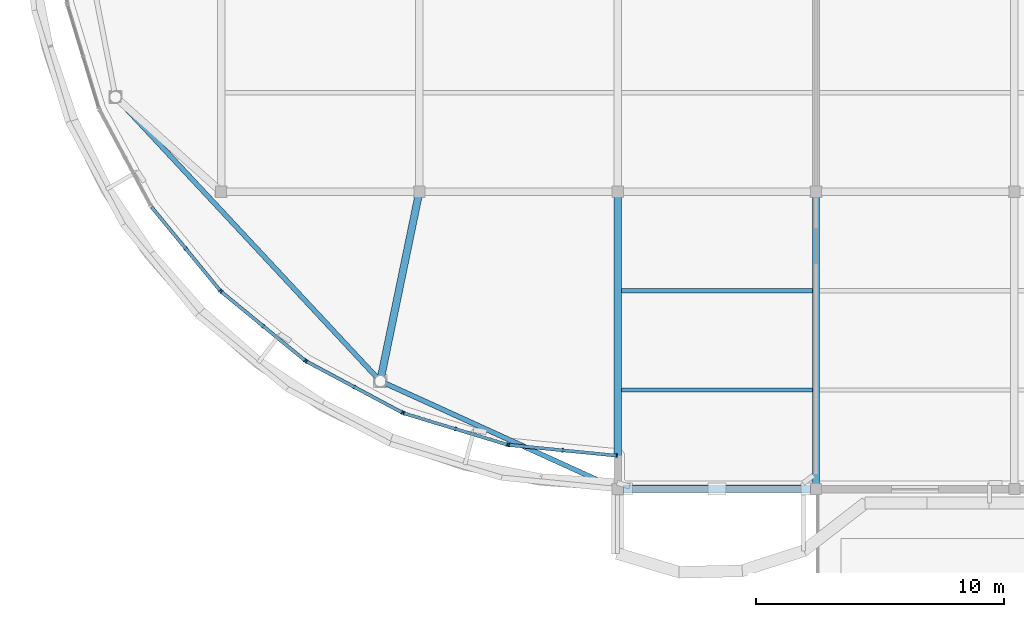
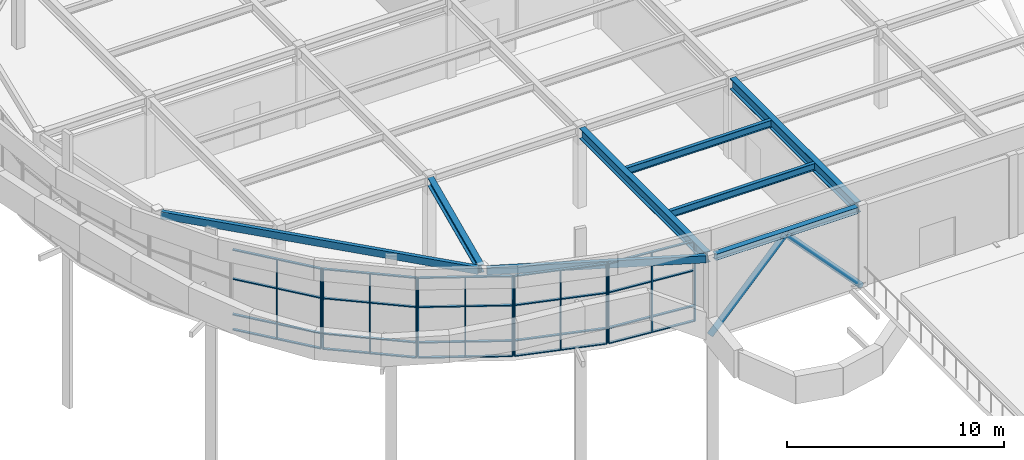
# One storey, part 10 of 63: 36 members, 8 beams, 5 elements without a shape of their own.
"""IFC4 building model written with IfcOpenShell, lengths in metres."""

import ifcopenshell
import ifcopenshell.guid

model = None  # the IFC model being written
_history = None  # IfcOwnerHistory: only IFC2X3 demands one
_inside = {}  # id of a spatial element -> (the spatial element, [elements in it])
_under = {}  # id of a project, library or spatial element -> (it, [spatial elements below it])
_declared = {}  # id of a project -> (the project, [libraries it declares])
_typed = {}  # id of a type object -> (the type object, [elements of that type])
_made_of = {}  # id of a material, layer set ... -> (it, [elements and type objects made of it])


def new_model(schema):
    """Start an empty IFC model of exactly this schema.

    Asked for "IFC4X3", IfcOpenShell would pick the latest addendum, in which some entities
    have other attributes; the version numbers below select the first issue.
    IFC2X3 requires an IfcOwnerHistory on every rooted entity: one is made here for all.
    """
    global model, _history
    if schema == "IFC4X3":
        model = ifcopenshell.file(schema_version=(4, 3, 0, 0))
    else:
        model = ifcopenshell.file(schema=schema)
    _inside.clear()
    _under.clear()
    _declared.clear()
    _typed.clear()
    _made_of.clear()
    _history = None
    if model.schema == "IFC2X3":
        org = make("IfcOrganization", Name="unknown")
        user = make(
            "IfcPersonAndOrganization",
            ThePerson=make("IfcPerson", FamilyName="unknown"),
            TheOrganization=org,
        )
        app = make(
            "IfcApplication",
            ApplicationDeveloper=org,
            Version="unknown",
            ApplicationFullName="unknown",
            ApplicationIdentifier="unknown",
        )
        _history = make(
            "IfcOwnerHistory",
            OwningUser=user,
            OwningApplication=app,
            ChangeAction="ADDED",
            CreationDate=0,
        )
    return model


def make(cls, **values):
    """One entity of the class cls with the attributes given. An attribute that is None is left unset."""
    return model.create_entity(
        cls, **{name: value for name, value in values.items() if value is not None}
    )


def rooted(cls, **values):
    """An entity with a GlobalId (a new one), such as an element, a storey or a relation."""
    return make(cls, GlobalId=ifcopenshell.guid.new(), OwnerHistory=_history, **values)


def si_unit(unit_type, name, prefix=None):
    """IfcSIUnit, for example si_unit("LENGTHUNIT", "METRE", prefix="MILLI")."""
    return make("IfcSIUnit", UnitType=unit_type, Prefix=prefix, Name=name)


def assignment(units):
    """IfcUnitAssignment: the units of a project."""
    return None if units is None else make("IfcUnitAssignment", Units=units)


def point(xyz):
    """IfcCartesianPoint."""
    return None if xyz is None else make("IfcCartesianPoint", Coordinates=xyz)


def direction(xyz):
    """IfcDirection."""
    return None if xyz is None else make("IfcDirection", DirectionRatios=xyz)


def frame(location, z_axis=None, x_axis=None):
    """IfcAxis2Placement3D, a coordinate frame: its origin and axes. An axis left out is left unset."""
    return make(
        "IfcAxis2Placement3D",
        Location=point(location),
        Axis=direction(z_axis),
        RefDirection=direction(x_axis),
    )


def frame_2d(location, x_axis=None):
    """IfcAxis2Placement2D, a coordinate frame in the plane: its origin and x axis."""
    return make(
        "IfcAxis2Placement2D", Location=point(location), RefDirection=direction(x_axis)
    )


def origin():
    """The frame at (0, 0, 0) with its axes left unset."""
    return frame((0.0, 0.0, 0.0))


def origin_2d():
    """The frame at (0, 0) in the plane with its x axis left unset."""
    return frame_2d((0.0, 0.0))


def place(relative_to, where):
    """IfcLocalPlacement: puts the frame where relative to a parent placement (None: the world)."""
    return make(
        "IfcLocalPlacement", PlacementRelTo=relative_to, RelativePlacement=where
    )


def context(
    kind, dimensions, precision=None, world=None, true_north=None, identifier=None
):
    """IfcGeometricRepresentationContext, for example the 3D "Model" context."""
    return make(
        "IfcGeometricRepresentationContext",
        ContextIdentifier=identifier,
        ContextType=kind,
        CoordinateSpaceDimension=dimensions,
        Precision=precision,
        WorldCoordinateSystem=world,
        TrueNorth=true_north,
    )


def subcontext(parent, identifier, kind, view, scale=None):
    """IfcGeometricRepresentationSubContext, for example "Body" below "Model"."""
    return make(
        "IfcGeometricRepresentationSubContext",
        ContextIdentifier=identifier,
        ContextType=kind,
        ParentContext=parent,
        TargetScale=scale,
        TargetView=view,
    )


def project(units=None, contexts=None):
    """IfcProject with its units and contexts."""
    return rooted(
        "IfcProject",
        Name="project",
        RepresentationContexts=contexts,
        UnitsInContext=assignment(units),
    )


def spatial(cls, under=None, at=None, **own):
    """A site, building, storey or space (cls), placed at a placement, below another one or the project."""
    s = rooted(cls, ObjectPlacement=at, **own)
    if under is not None:
        _under.setdefault(under.id(), (under, []))[1].append(s)
    return s


def profile(cls, at=None, kind="AREA", **sizes):
    """A parametric profile (cls). Its sizes go by their IFC names, for example OverallWidth=200.0."""
    return make(cls, ProfileType=kind, Position=at, **sizes)


def rectangle(**sizes):
    """IfcRectangleProfileDef."""
    return profile("IfcRectangleProfileDef", **sizes)


def hollow_rectangle(**sizes):
    """IfcRectangleHollowProfileDef."""
    return profile("IfcRectangleHollowProfileDef", **sizes)


def hollow_circle(**sizes):
    """IfcCircleHollowProfileDef."""
    return profile("IfcCircleHollowProfileDef", **sizes)


def i_section(**sizes):
    """IfcIShapeProfileDef."""
    return profile("IfcIShapeProfileDef", **sizes)


def extrude(swept, where, along, depth):
    """IfcExtrudedAreaSolid: the profile swept, set in the frame where, extruded along a direction by depth."""
    return make(
        "IfcExtrudedAreaSolid",
        SweptArea=swept,
        Position=where,
        ExtrudedDirection=direction(along),
        Depth=depth,
    )


def shape(context_of_items, identifier, shape_type, items):
    """IfcShapeRepresentation: the items that make up one representation, for example the "Body"."""
    return make(
        "IfcShapeRepresentation",
        ContextOfItems=context_of_items,
        RepresentationIdentifier=identifier,
        RepresentationType=shape_type,
        Items=items,
    )


def material(Name=None, Category=None):
    """IfcMaterial."""
    return make("IfcMaterial", Name=Name, Category=Category)


def layer(
    of_material, thickness, ventilated=None, Name=None, Category=None, Priority=None
):
    """IfcMaterialLayer: one layer of a wall or slab, of a material (None: an air gap)."""
    return make(
        "IfcMaterialLayer",
        Material=of_material,
        LayerThickness=thickness,
        IsVentilated=ventilated,
        Name=Name,
        Category=Category,
        Priority=Priority,
    )


def layer_set(layers, Name=None):
    """IfcMaterialLayerSet."""
    return make("IfcMaterialLayerSet", MaterialLayers=layers, LayerSetName=Name)


def material_profile(
    of_material, cross_section, Name=None, Category=None, Priority=None
):
    """IfcMaterialProfile: a cross section and its material."""
    return make(
        "IfcMaterialProfile",
        Name=Name,
        Material=of_material,
        Profile=cross_section,
        Priority=Priority,
        Category=Category,
    )


def profile_set(profiles, Name=None, composite=None):
    """IfcMaterialProfileSet."""
    return make(
        "IfcMaterialProfileSet",
        Name=Name,
        MaterialProfiles=profiles,
        CompositeProfile=composite,
    )


def made_of(thing, what):
    """Note that an element or type object is made of a material, layer set ...; save() writes the relation."""
    if what is not None:
        _made_of.setdefault(what.id(), (what, []))[1].append(thing)
    return thing


def type_object(cls, material=None, **own):
    """A type object (cls), such as IfcWallType, which elements share."""
    return made_of(rooted(cls, **own), material)


def element(
    cls,
    number,
    at=None,
    inside=None,
    cuts=None,
    type_object=None,
    material=None,
    context=None,
    identifier="Body",
    shape_type=None,
    held_by="IfcProductDefinitionShape",
    body=None,
    shapes=None,
    **own,
):
    """One element of the class cls, such as IfcWall. Its Tag is "e" and its number.

    at: its placement. inside: the storey or other place that contains it. cuts: it is an
    opening in that element (IfcRelVoidsElement). A single representation is given by context,
    identifier, shape_type and body (its items); several are given by shapes. held_by: the class
    of the entity that holds the representations. save() writes the other relations.
    """
    e = rooted(cls, Tag="e%d" % number, ObjectPlacement=at, **own)
    if body is not None:
        shapes = [shape(context, identifier, shape_type, body)]
    if shapes is not None:
        e.Representation = make(held_by, Representations=shapes)
    if inside is not None:
        _inside.setdefault(inside.id(), (inside, []))[1].append(e)
    if cuts is not None:
        rooted(
            "IfcRelVoidsElement", RelatingBuildingElement=cuts, RelatedOpeningElement=e
        )
    if type_object is not None:
        _typed.setdefault(type_object.id(), (type_object, []))[1].append(e)
    return made_of(e, material)


def aggregate(whole, parts):
    """IfcRelAggregates: a whole, such as a stair, and the parts it consists of."""
    return rooted("IfcRelAggregates", RelatingObject=whole, RelatedObjects=parts)


def save(model, path):
    """Write the relations noted so far, then the file.

    IfcRelAggregates (storeys below a building ...), IfcRelContainedInSpatialStructure (elements
    in a storey), IfcRelDefinesByType, IfcRelAssociatesMaterial and IfcRelDeclares: one each for
    every whole, place, type object, material and project.
    """
    for whole, parts in _under.values():
        aggregate(whole, parts)
    for where, things in _inside.values():
        rooted(
            "IfcRelContainedInSpatialStructure",
            RelatedElements=things,
            RelatingStructure=where,
        )
    for kind, things in _typed.values():
        rooted("IfcRelDefinesByType", RelatedObjects=things, RelatingType=kind)
    for what, things in _made_of.values():
        rooted("IfcRelAssociatesMaterial", RelatedObjects=things, RelatingMaterial=what)
    for by, libraries in _declared.values():
        rooted("IfcRelDeclares", RelatingContext=by, RelatedDefinitions=libraries)
    model.write(path)


model = new_model("IFC4")

# Units and contexts
model_context = context("Model", 3, precision=1e-05, world=origin(), true_north=direction((0.0, 1.0)))
body_context = subcontext(model_context, "Body", "Model", "MODEL_VIEW")
ifc_project = project(units=[si_unit("LENGTHUNIT", "METRE"), si_unit("AREAUNIT", "SQUARE_METRE"), si_unit("VOLUMEUNIT", "CUBIC_METRE"), si_unit("PLANEANGLEUNIT", "RADIAN"), si_unit("MASSUNIT", "GRAM", prefix="KILO")], contexts=[model_context])

# Site, building, storey
site_placement = place(None, origin())
site = spatial("IfcSite", under=ifc_project, at=site_placement, CompositionType="ELEMENT")
building_placement = place(site_placement, origin())
building = spatial("IfcBuilding", under=site, at=building_placement, Name="Keelwater Ferry Terminal", CompositionType="ELEMENT")
storey_placement = place(building_placement, frame((0.0, 0.0, 10.199951171875)))
storey = spatial("IfcBuildingStorey", under=building, at=storey_placement, Name="L02", CompositionType="ELEMENT", Elevation=10.199951171875)

# Members
ifc_material_1 = material(Name="Steel S355", Category="steel")
ifc_material_profile_1 = material_profile(ifc_material_1, hollow_circle(Radius=0.161865234375, WallThickness=0.012451171875, at=origin_2d()), Name="CHS 323.9x12.5")
ifc_profile_set_1 = profile_set([ifc_material_profile_1], Name="Steel S355")
member_type_1 = type_object("IfcMemberType", Name="BR1 CHS 323.9x12.5", PredefinedType="BRACE", material=ifc_profile_set_1)
for number, where, z_axis, x_axis, name in (
    (1, (24.0, 42.0, 0.0), (0.683655146647, 0.0, 0.729805207205), (0.0, 1.0, 0.0), "Structural Member MB-L02-0535"),
    (2, (32.0, 42.0, 0.0), (-0.683655146647, 0.0, 0.729805207205), (0.0, -1.0, 0.0), "Structural Member MB-L02-0536"),
):
    element("IfcMember", number, at=place(storey_placement, frame(where, z_axis=z_axis, x_axis=x_axis)), inside=storey, type_object=member_type_1, Name=name, PredefinedType="BRACE", context=body_context, shape_type="SweptSolid", body=[
        extrude(hollow_circle(Radius=0.161865234375, WallThickness=0.012451171875, at=origin_2d()), origin(), (0.0, 0.0, 1.0), 5.850830078125),
    ])

# Curtain wall, members
ifc_material_2 = material(Name="Thermally broken unitised aluminium and triple glass", Category="aluminium")
ifc_layer = layer(ifc_material_2, 0.179931640625)
ifc_layer_set = layer_set([ifc_layer], Name="Thermally broken unitised aluminium and triple glass")
curtain_wall_type = type_object("IfcCurtainWallType", Name="CW-18 Unitised Curtain Wall 4350x4480", PredefinedType="USERDEFINED", material=ifc_layer_set)
curtain_wall_1_placement = place(storey_placement, origin())
curtain_wall_1 = element("IfcCurtainWall", 3, at=curtain_wall_1_placement, inside=storey, type_object=curtain_wall_type, Name="Unitised Curtain Wall CW-L02-152", ObjectType="UNITISED CURTAIN WALL", PredefinedType="USERDEFINED")
ifc_material_3 = material(Name="Aluminium mullion", Category="aluminium")
ifc_material_profile_2 = material_profile(ifc_material_3, rectangle(XDim=0.06005859375, YDim=0.14990234375, at=origin_2d()), Name="CWM-03")
ifc_profile_set_2 = profile_set([ifc_material_profile_2], Name="Aluminium mullion")
member_type_2 = type_object("IfcMemberType", Name="CWM-03 Curtain Mullion 60x150", PredefinedType="MULLION", material=ifc_profile_set_2)
member_1_placement = place(storey_placement, frame((6.575439453125, 51.699951171875, 0.0), z_axis=(0.0, 0.0, 1.0), x_axis=(0.634376508991, -0.773024220086, 0.0)))
member_1 = element("IfcMember", 4, at=member_1_placement, type_object=member_type_2, Name="CW-L02-152 Mullion 2", PredefinedType="MULLION", context=body_context, shape_type="SweptSolid", body=[
    extrude(rectangle(XDim=0.06005859375, YDim=0.14990234375, at=origin_2d()), origin(), (0.0, 0.0, 1.0), 4.47998046875),
])
member_2_placement = place(storey_placement, frame((7.955078125, 50.01904296875, 0.0), z_axis=(0.0, 0.0, 1.0), x_axis=(0.634376508991, -0.773024220086, 0.0)))
member_2 = element("IfcMember", 5, at=member_2_placement, type_object=member_type_2, Name="CW-L02-152 Mullion 3", PredefinedType="MULLION", context=body_context, shape_type="SweptSolid", body=[
    extrude(rectangle(XDim=0.06005859375, YDim=0.14990234375, at=origin_2d()), origin(), (0.0, 0.0, 1.0), 4.47998046875),
])

curtain_wall_2_placement = place(storey_placement, origin())
curtain_wall_2 = element("IfcCurtainWall", 6, at=curtain_wall_2_placement, inside=storey, type_object=curtain_wall_type, Name="Unitised Curtain Wall CW-L02-153", ObjectType="UNITISED CURTAIN WALL", PredefinedType="USERDEFINED")
member_3_placement = place(storey_placement, frame((8.01904296875, 49.955078125, 0.0), z_axis=(0.0, 0.0, 1.0), x_axis=(0.773024220086, -0.634376508991, 0.0)))
member_3 = element("IfcMember", 7, at=member_3_placement, type_object=member_type_2, Name="CW-L02-153 Mullion 1", PredefinedType="MULLION", context=body_context, shape_type="SweptSolid", body=[
    extrude(rectangle(XDim=0.06005859375, YDim=0.14990234375, at=origin_2d()), origin(), (0.0, 0.0, 1.0), 4.47998046875),
])
member_4_placement = place(storey_placement, frame((9.699951171875, 48.575439453125, 0.0), z_axis=(0.0, 0.0, 1.0), x_axis=(0.773024220086, -0.634376508991, 0.0)))
member_4 = element("IfcMember", 8, at=member_4_placement, type_object=member_type_2, Name="CW-L02-153 Mullion 2", PredefinedType="MULLION", context=body_context, shape_type="SweptSolid", body=[
    extrude(rectangle(XDim=0.06005859375, YDim=0.14990234375, at=origin_2d()), origin(), (0.0, 0.0, 1.0), 4.47998046875),
])
member_5_placement = place(storey_placement, frame((11.381103515625, 47.196044921875, 0.0), z_axis=(0.0, 0.0, 1.0), x_axis=(0.773024220086, -0.634376508991, 0.0)))
member_5 = element("IfcMember", 9, at=member_5_placement, type_object=member_type_2, Name="CW-L02-153 Mullion 3", PredefinedType="MULLION", context=body_context, shape_type="SweptSolid", body=[
    extrude(rectangle(XDim=0.06005859375, YDim=0.14990234375, at=origin_2d()), origin(), (0.0, 0.0, 1.0), 4.47998046875),
])

curtain_wall_3_placement = place(storey_placement, origin())
curtain_wall_3 = element("IfcCurtainWall", 10, at=curtain_wall_3_placement, inside=storey, type_object=curtain_wall_type, Name="Unitised Curtain Wall CW-L02-154", ObjectType="UNITISED CURTAIN WALL", PredefinedType="USERDEFINED")
member_6_placement = place(storey_placement, frame((11.4560546875, 47.14599609375, 0.0), z_axis=(0.0, 0.0, 1.0), x_axis=(0.881862452632, -0.471506749303, 0.0)))
member_6 = element("IfcMember", 11, at=member_6_placement, type_object=member_type_2, Name="CW-L02-154 Mullion 1", PredefinedType="MULLION", context=body_context, shape_type="SweptSolid", body=[
    extrude(rectangle(XDim=0.06005859375, YDim=0.14990234375, at=origin_2d()), origin(), (0.0, 0.0, 1.0), 4.47998046875),
])
member_7_placement = place(storey_placement, frame((13.3740234375, 46.12060546875, 0.0), z_axis=(0.0, 0.0, 1.0), x_axis=(0.881862452632, -0.471506749303, 0.0)))
member_7 = element("IfcMember", 12, at=member_7_placement, type_object=member_type_2, Name="CW-L02-154 Mullion 2", PredefinedType="MULLION", context=body_context, shape_type="SweptSolid", body=[
    extrude(rectangle(XDim=0.06005859375, YDim=0.14990234375, at=origin_2d()), origin(), (0.0, 0.0, 1.0), 4.47998046875),
])
member_8_placement = place(storey_placement, frame((15.2919921875, 45.094970703125, 0.0), z_axis=(0.0, 0.0, 1.0), x_axis=(0.881862452632, -0.471506749303, 0.0)))
member_8 = element("IfcMember", 13, at=member_8_placement, type_object=member_type_2, Name="CW-L02-154 Mullion 3", PredefinedType="MULLION", context=body_context, shape_type="SweptSolid", body=[
    extrude(rectangle(XDim=0.06005859375, YDim=0.14990234375, at=origin_2d()), origin(), (0.0, 0.0, 1.0), 4.47998046875),
])

curtain_wall_4_placement = place(storey_placement, origin())
curtain_wall_4 = element("IfcCurtainWall", 14, at=curtain_wall_4_placement, inside=storey, type_object=curtain_wall_type, Name="Unitised Curtain Wall CW-L02-155", ObjectType="UNITISED CURTAIN WALL", PredefinedType="USERDEFINED")
member_9_placement = place(storey_placement, frame((15.375, 45.06103515625, 0.0), z_axis=(0.0, 0.0, 1.0), x_axis=(0.956929623319, -0.290319989003, 0.0)))
member_9 = element("IfcMember", 15, at=member_9_placement, type_object=member_type_2, Name="CW-L02-155 Mullion 1", PredefinedType="MULLION", context=body_context, shape_type="SweptSolid", body=[
    extrude(rectangle(XDim=0.06005859375, YDim=0.14990234375, at=origin_2d()), origin(), (0.0, 0.0, 1.0), 4.47998046875),
])
member_10_placement = place(storey_placement, frame((17.45654296875, 44.429443359375, 0.0), z_axis=(0.0, 0.0, 1.0), x_axis=(0.956929623319, -0.290319989003, 0.0)))
member_10 = element("IfcMember", 16, at=member_10_placement, type_object=member_type_2, Name="CW-L02-155 Mullion 2", PredefinedType="MULLION", context=body_context, shape_type="SweptSolid", body=[
    extrude(rectangle(XDim=0.06005859375, YDim=0.14990234375, at=origin_2d()), origin(), (0.0, 0.0, 1.0), 4.47998046875),
])
member_11_placement = place(storey_placement, frame((19.5380859375, 43.798095703125, 0.0), z_axis=(0.0, 0.0, 1.0), x_axis=(0.956929623319, -0.290319989003, 0.0)))
member_11 = element("IfcMember", 17, at=member_11_placement, type_object=member_type_2, Name="CW-L02-155 Mullion 3", PredefinedType="MULLION", context=body_context, shape_type="SweptSolid", body=[
    extrude(rectangle(XDim=0.06005859375, YDim=0.14990234375, at=origin_2d()), origin(), (0.0, 0.0, 1.0), 4.47998046875),
])

curtain_wall_5_placement = place(storey_placement, origin())
curtain_wall_5 = element("IfcCurtainWall", 18, at=curtain_wall_5_placement, inside=storey, type_object=curtain_wall_type, Name="Unitised Curtain Wall CW-L02-156", ObjectType="UNITISED CURTAIN WALL", PredefinedType="USERDEFINED")
member_12_placement = place(storey_placement, frame((19.6259765625, 43.781005859375, 0.0), z_axis=(0.0, 0.0, 1.0), x_axis=(0.995170573079, -0.098160737969, 0.0)))
member_12 = element("IfcMember", 19, at=member_12_placement, type_object=member_type_2, Name="CW-L02-156 Mullion 1", PredefinedType="MULLION", context=body_context, shape_type="SweptSolid", body=[
    extrude(rectangle(XDim=0.06005859375, YDim=0.14990234375, at=origin_2d()), origin(), (0.0, 0.0, 1.0), 4.47998046875),
])
member_13_placement = place(storey_placement, frame((21.79052734375, 43.5673828125, 0.0), z_axis=(0.0, 0.0, 1.0), x_axis=(0.995170573079, -0.098160737969, 0.0)))
member_13 = element("IfcMember", 20, at=member_13_placement, type_object=member_type_2, Name="CW-L02-156 Mullion 2", PredefinedType="MULLION", context=body_context, shape_type="SweptSolid", body=[
    extrude(rectangle(XDim=0.06005859375, YDim=0.14990234375, at=origin_2d()), origin(), (0.0, 0.0, 1.0), 4.47998046875),
])
member_14_placement = place(storey_placement, frame((23.955078125, 43.35400390625, 0.0), z_axis=(0.0, 0.0, 1.0), x_axis=(0.995170573079, -0.098160737969, 0.0)))
member_14 = element("IfcMember", 21, at=member_14_placement, type_object=member_type_2, Name="CW-L02-156 Mullion 3", PredefinedType="MULLION", context=body_context, shape_type="SweptSolid", body=[
    extrude(rectangle(XDim=0.06005859375, YDim=0.14990234375, at=origin_2d()), origin(), (0.0, 0.0, 1.0), 4.47998046875),
])

# Member
ifc_material_4 = material(Name="Aluminium mullion", Category="aluminium")
ifc_material_profile_3 = material_profile(ifc_material_4, rectangle(XDim=0.135009765625, YDim=0.06005859375, at=origin_2d()), Name="CWT-03")
ifc_profile_set_3 = profile_set([ifc_material_profile_3], Name="Aluminium mullion")
member_type_3 = type_object("IfcMemberType", Name="CWT-03 Curtain Transom 60x135", PredefinedType="USERDEFINED", material=ifc_profile_set_3)
member_15_placement = place(storey_placement, frame((5.196044921875, 53.381103515625, 0.0), z_axis=(0.634374244118, -0.773026078732, 0.0), x_axis=(0.773026078732, 0.634374244118, 0.0)))
member_15 = element("IfcMember", 22, at=member_15_placement, type_object=member_type_3, Name="CW-L02-152 Transom 1", ObjectType="TRANSOM", PredefinedType="USERDEFINED", context=body_context, shape_type="SweptSolid", body=[
    extrude(rectangle(XDim=0.135009765625, YDim=0.06005859375, at=origin_2d()), origin(), (0.0, 0.0, 1.0), 4.34912109375),
])

member_16_placement = place(storey_placement, frame((5.196044921875, 53.381103515625, 0.85009765625), z_axis=(0.634374244118, -0.773026078732, 0.0), x_axis=(0.773026078732, 0.634374244118, 0.0)))
member_16 = element("IfcMember", 23, at=member_16_placement, type_object=member_type_3, Name="CW-L02-152 Transom 2", ObjectType="TRANSOM", PredefinedType="USERDEFINED", context=body_context, shape_type="SweptSolid", body=[
    extrude(rectangle(XDim=0.135009765625, YDim=0.06005859375, at=origin_2d()), origin(), (0.0, 0.0, 1.0), 4.34912109375),
])

member_17_placement = place(storey_placement, frame((5.196044921875, 53.381103515625, 2.85009765625), z_axis=(0.634374244118, -0.773026078732, 0.0), x_axis=(0.773026078732, 0.634374244118, 0.0)))
member_17 = element("IfcMember", 24, at=member_17_placement, type_object=member_type_3, Name="CW-L02-152 Transom 3", ObjectType="TRANSOM", PredefinedType="USERDEFINED", context=body_context, shape_type="SweptSolid", body=[
    extrude(rectangle(XDim=0.135009765625, YDim=0.06005859375, at=origin_2d()), origin(), (0.0, 0.0, 1.0), 4.34912109375),
])

member_18_placement = place(storey_placement, frame((5.196044921875, 53.381103515625, 4.47998046875), z_axis=(0.634374244118, -0.773026078732, 0.0), x_axis=(0.773026078732, 0.634374244118, 0.0)))
member_18 = element("IfcMember", 25, at=member_18_placement, type_object=member_type_3, Name="CW-L02-152 Transom 4", ObjectType="TRANSOM", PredefinedType="USERDEFINED", context=body_context, shape_type="SweptSolid", body=[
    extrude(rectangle(XDim=0.135009765625, YDim=0.06005859375, at=origin_2d()), origin(), (0.0, 0.0, 1.0), 4.34912109375),
])

aggregate(curtain_wall_1, [member_1, member_2, member_15, member_16, member_17, member_18])

member_19_placement = place(storey_placement, frame((8.01904296875, 49.955078125, 0.0), z_axis=(0.773026078732, -0.634374244118, 0.0), x_axis=(0.634374244118, 0.773026078732, 0.0)))
member_19 = element("IfcMember", 26, at=member_19_placement, type_object=member_type_3, Name="CW-L02-153 Transom 1", ObjectType="TRANSOM", PredefinedType="USERDEFINED", context=body_context, shape_type="SweptSolid", body=[
    extrude(rectangle(XDim=0.135009765625, YDim=0.06005859375, at=origin_2d()), origin(), (0.0, 0.0, 1.0), 4.34912109375),
])

member_20_placement = place(storey_placement, frame((8.01904296875, 49.955078125, 0.85009765625), z_axis=(0.773026078732, -0.634374244118, 0.0), x_axis=(0.634374244118, 0.773026078732, 0.0)))
member_20 = element("IfcMember", 27, at=member_20_placement, type_object=member_type_3, Name="CW-L02-153 Transom 2", ObjectType="TRANSOM", PredefinedType="USERDEFINED", context=body_context, shape_type="SweptSolid", body=[
    extrude(rectangle(XDim=0.135009765625, YDim=0.06005859375, at=origin_2d()), origin(), (0.0, 0.0, 1.0), 4.34912109375),
])

member_21_placement = place(storey_placement, frame((8.01904296875, 49.955078125, 2.85009765625), z_axis=(0.773026078732, -0.634374244118, 0.0), x_axis=(0.634374244118, 0.773026078732, 0.0)))
member_21 = element("IfcMember", 28, at=member_21_placement, type_object=member_type_3, Name="CW-L02-153 Transom 3", ObjectType="TRANSOM", PredefinedType="USERDEFINED", context=body_context, shape_type="SweptSolid", body=[
    extrude(rectangle(XDim=0.135009765625, YDim=0.06005859375, at=origin_2d()), origin(), (0.0, 0.0, 1.0), 4.34912109375),
])

member_22_placement = place(storey_placement, frame((8.01904296875, 49.955078125, 4.47998046875), z_axis=(0.773026078732, -0.634374244118, 0.0), x_axis=(0.634374244118, 0.773026078732, 0.0)))
member_22 = element("IfcMember", 29, at=member_22_placement, type_object=member_type_3, Name="CW-L02-153 Transom 4", ObjectType="TRANSOM", PredefinedType="USERDEFINED", context=body_context, shape_type="SweptSolid", body=[
    extrude(rectangle(XDim=0.135009765625, YDim=0.06005859375, at=origin_2d()), origin(), (0.0, 0.0, 1.0), 4.34912109375),
])

aggregate(curtain_wall_2, [member_3, member_4, member_5, member_19, member_20, member_21, member_22])

member_23_placement = place(storey_placement, frame((11.4560546875, 47.14599609375, 0.0), z_axis=(0.881856831112, -0.471517263122, 0.0), x_axis=(0.471517263122, 0.881856831112, 0.0)))
member_23 = element("IfcMember", 30, at=member_23_placement, type_object=member_type_3, Name="CW-L02-154 Transom 1", ObjectType="TRANSOM", PredefinedType="USERDEFINED", context=body_context, shape_type="SweptSolid", body=[
    extrude(rectangle(XDim=0.135009765625, YDim=0.06005859375, at=origin_2d()), origin(), (0.0, 0.0, 1.0), 4.349853515625),
])

member_24_placement = place(storey_placement, frame((11.4560546875, 47.14599609375, 0.85009765625), z_axis=(0.881856831112, -0.471517263122, 0.0), x_axis=(0.471517263122, 0.881856831112, 0.0)))
member_24 = element("IfcMember", 31, at=member_24_placement, type_object=member_type_3, Name="CW-L02-154 Transom 2", ObjectType="TRANSOM", PredefinedType="USERDEFINED", context=body_context, shape_type="SweptSolid", body=[
    extrude(rectangle(XDim=0.135009765625, YDim=0.06005859375, at=origin_2d()), origin(), (0.0, 0.0, 1.0), 4.349853515625),
])

member_25_placement = place(storey_placement, frame((11.4560546875, 47.14599609375, 2.85009765625), z_axis=(0.881856831112, -0.471517263122, 0.0), x_axis=(0.471517263122, 0.881856831112, 0.0)))
member_25 = element("IfcMember", 32, at=member_25_placement, type_object=member_type_3, Name="CW-L02-154 Transom 3", ObjectType="TRANSOM", PredefinedType="USERDEFINED", context=body_context, shape_type="SweptSolid", body=[
    extrude(rectangle(XDim=0.135009765625, YDim=0.06005859375, at=origin_2d()), origin(), (0.0, 0.0, 1.0), 4.349853515625),
])

member_26_placement = place(storey_placement, frame((11.4560546875, 47.14599609375, 4.47998046875), z_axis=(0.881856831112, -0.471517263122, 0.0), x_axis=(0.471517263122, 0.881856831112, 0.0)))
member_26 = element("IfcMember", 33, at=member_26_placement, type_object=member_type_3, Name="CW-L02-154 Transom 4", ObjectType="TRANSOM", PredefinedType="USERDEFINED", context=body_context, shape_type="SweptSolid", body=[
    extrude(rectangle(XDim=0.135009765625, YDim=0.06005859375, at=origin_2d()), origin(), (0.0, 0.0, 1.0), 4.349853515625),
])

aggregate(curtain_wall_3, [member_6, member_7, member_8, member_23, member_24, member_25, member_26])

member_27_placement = place(storey_placement, frame((15.375, 45.06103515625, 0.0), z_axis=(0.956935154583, -0.290301756665, 0.0), x_axis=(0.290301756665, 0.956935154583, 0.0)))
member_27 = element("IfcMember", 34, at=member_27_placement, type_object=member_type_3, Name="CW-L02-155 Transom 1", ObjectType="TRANSOM", PredefinedType="USERDEFINED", context=body_context, shape_type="SweptSolid", body=[
    extrude(rectangle(XDim=0.135009765625, YDim=0.06005859375, at=origin_2d()), origin(), (0.0, 0.0, 1.0), 4.350341796875),
])

member_28_placement = place(storey_placement, frame((15.375, 45.06103515625, 0.85009765625), z_axis=(0.956935154583, -0.290301756665, 0.0), x_axis=(0.290301756665, 0.956935154583, 0.0)))
member_28 = element("IfcMember", 35, at=member_28_placement, type_object=member_type_3, Name="CW-L02-155 Transom 2", ObjectType="TRANSOM", PredefinedType="USERDEFINED", context=body_context, shape_type="SweptSolid", body=[
    extrude(rectangle(XDim=0.135009765625, YDim=0.06005859375, at=origin_2d()), origin(), (0.0, 0.0, 1.0), 4.350341796875),
])

member_29_placement = place(storey_placement, frame((15.375, 45.06103515625, 2.85009765625), z_axis=(0.956935154583, -0.290301756665, 0.0), x_axis=(0.290301756665, 0.956935154583, 0.0)))
member_29 = element("IfcMember", 36, at=member_29_placement, type_object=member_type_3, Name="CW-L02-155 Transom 3", ObjectType="TRANSOM", PredefinedType="USERDEFINED", context=body_context, shape_type="SweptSolid", body=[
    extrude(rectangle(XDim=0.135009765625, YDim=0.06005859375, at=origin_2d()), origin(), (0.0, 0.0, 1.0), 4.350341796875),
])

member_30_placement = place(storey_placement, frame((15.375, 45.06103515625, 4.47998046875), z_axis=(0.956935154583, -0.290301756665, 0.0), x_axis=(0.290301756665, 0.956935154583, 0.0)))
member_30 = element("IfcMember", 37, at=member_30_placement, type_object=member_type_3, Name="CW-L02-155 Transom 4", ObjectType="TRANSOM", PredefinedType="USERDEFINED", context=body_context, shape_type="SweptSolid", body=[
    extrude(rectangle(XDim=0.135009765625, YDim=0.06005859375, at=origin_2d()), origin(), (0.0, 0.0, 1.0), 4.350341796875),
])

aggregate(curtain_wall_4, [member_9, member_10, member_11, member_27, member_28, member_29, member_30])

member_31_placement = place(storey_placement, frame((19.6259765625, 43.781005859375, 0.0), z_axis=(0.995170754178, -0.098158901932, 0.0), x_axis=(0.098158901932, 0.995170754178, 0.0)))
member_31 = element("IfcMember", 38, at=member_31_placement, type_object=member_type_3, Name="CW-L02-156 Transom 1", ObjectType="TRANSOM", PredefinedType="USERDEFINED", context=body_context, shape_type="SweptSolid", body=[
    extrude(rectangle(XDim=0.135009765625, YDim=0.06005859375, at=origin_2d()), origin(), (0.0, 0.0, 1.0), 4.35009765625),
])

member_32_placement = place(storey_placement, frame((19.6259765625, 43.781005859375, 0.85009765625), z_axis=(0.995170754178, -0.098158901932, 0.0), x_axis=(0.098158901932, 0.995170754178, 0.0)))
member_32 = element("IfcMember", 39, at=member_32_placement, type_object=member_type_3, Name="CW-L02-156 Transom 2", ObjectType="TRANSOM", PredefinedType="USERDEFINED", context=body_context, shape_type="SweptSolid", body=[
    extrude(rectangle(XDim=0.135009765625, YDim=0.06005859375, at=origin_2d()), origin(), (0.0, 0.0, 1.0), 4.35009765625),
])

member_33_placement = place(storey_placement, frame((19.6259765625, 43.781005859375, 2.85009765625), z_axis=(0.995170754178, -0.098158901932, 0.0), x_axis=(0.098158901932, 0.995170754178, 0.0)))
member_33 = element("IfcMember", 40, at=member_33_placement, type_object=member_type_3, Name="CW-L02-156 Transom 3", ObjectType="TRANSOM", PredefinedType="USERDEFINED", context=body_context, shape_type="SweptSolid", body=[
    extrude(rectangle(XDim=0.135009765625, YDim=0.06005859375, at=origin_2d()), origin(), (0.0, 0.0, 1.0), 4.35009765625),
])

member_34_placement = place(storey_placement, frame((19.6259765625, 43.781005859375, 4.47998046875), z_axis=(0.995170754178, -0.098158901932, 0.0), x_axis=(0.098158901932, 0.995170754178, 0.0)))
member_34 = element("IfcMember", 41, at=member_34_placement, type_object=member_type_3, Name="CW-L02-156 Transom 4", ObjectType="TRANSOM", PredefinedType="USERDEFINED", context=body_context, shape_type="SweptSolid", body=[
    extrude(rectangle(XDim=0.135009765625, YDim=0.06005859375, at=origin_2d()), origin(), (0.0, 0.0, 1.0), 4.35009765625),
])

aggregate(curtain_wall_5, [member_12, member_13, member_14, member_31, member_32, member_33, member_34])

# Beams
ifc_material_5 = material(Name="Steel S355", Category="steel")
ifc_material_profile_4 = material_profile(ifc_material_5, i_section(OverallWidth=0.300048828125, OverallDepth=0.60009765625, WebThickness=0.015380859375, FlangeThickness=0.030029296875, at=origin_2d()), Name="HEB 600")
ifc_profile_set_4 = profile_set([ifc_material_profile_4], Name="Steel S355")
beam_type_1 = type_object("IfcBeamType", Name="G3 HEB 600", PredefinedType="BEAM", material=ifc_profile_set_4)
beam_1_placement = place(storey_placement, frame((24.0, 42.219970703125, 4.219970703125), z_axis=(0.0, 1.0, 0.0), x_axis=(-1.0, 0.0, 0.0)))
element("IfcBeam", 42, at=beam_1_placement, inside=storey, type_object=beam_type_1, Name="Beam BM-L02-1076", PredefinedType="BEAM", context=body_context, shape_type="SweptSolid", body=[
    extrude(i_section(OverallWidth=0.300048828125, OverallDepth=0.60009765625, WebThickness=0.015380859375, FlangeThickness=0.030029296875, at=origin_2d()), origin(), (0.0, 0.0, 1.0), 11.56005859375),
])
ifc_material_6 = material(Name="Steel S355", Category="steel")
ifc_material_profile_5 = material_profile(ifc_material_6, i_section(OverallWidth=0.300048828125, OverallDepth=0.60009765625, WebThickness=0.015380859375, FlangeThickness=0.030029296875, at=origin_2d()), Name="HEB 600")
ifc_profile_set_5 = profile_set([ifc_material_profile_5], Name="Steel S355")
beam_type_2 = type_object("IfcBeamType", Name="G3E HEB 600", PredefinedType="BEAM", material=ifc_profile_set_5)
beam_2_placement = place(storey_placement, frame((32.0, 42.219970703125, 4.219970703125), z_axis=(0.0, 1.0, 0.0), x_axis=(-1.0, 0.0, 0.0)))
element("IfcBeam", 43, at=beam_2_placement, inside=storey, type_object=beam_type_2, Name="Beam BM-L02-1080", PredefinedType="BEAM", context=body_context, shape_type="SweptSolid", body=[
    extrude(i_section(OverallWidth=0.300048828125, OverallDepth=0.60009765625, WebThickness=0.015380859375, FlangeThickness=0.030029296875, at=origin_2d()), origin(), (0.0, 0.0, 1.0), 11.56005859375),
])
ifc_material_7 = material(Name="Steel S355", Category="steel")
ifc_material_profile_6 = material_profile(ifc_material_7, i_section(OverallWidth=0.300048828125, OverallDepth=0.449951171875, WebThickness=0.013916015625, FlangeThickness=0.02587890625, at=origin_2d()), Name="HEB 450")
ifc_profile_set_6 = profile_set([ifc_material_profile_6], Name="Steel S355")
beam_type_3 = type_object("IfcBeamType", Name="G6 HEB 450", PredefinedType="BEAM", material=ifc_profile_set_6)
beam_3_placement = place(storey_placement, frame((14.4599609375, 46.547119140625, 4.295166015625), z_axis=(0.20230745002, 0.979322059216, 0.0), x_axis=(-0.979322059216, 0.20230745002, 0.0)))
element("IfcBeam", 44, at=beam_3_placement, inside=storey, type_object=beam_type_3, Name="Beam BM-L02-1274", PredefinedType="BEAM", context=body_context, shape_type="SweptSolid", body=[
    extrude(i_section(OverallWidth=0.300048828125, OverallDepth=0.449951171875, WebThickness=0.013916015625, FlangeThickness=0.02587890625, at=origin_2d()), origin(), (0.0, 0.0, 1.0), 7.419189453125),
])
ifc_material_8 = material(Name="Steel S355", Category="steel")
ifc_material_profile_7 = material_profile(ifc_material_8, i_section(OverallWidth=0.179931640625, OverallDepth=0.39990234375, WebThickness=0.008544921875, FlangeThickness=0.013427734375, at=origin_2d()), Name="IPE 400")
ifc_profile_set_7 = profile_set([ifc_material_profile_7], Name="Steel S355")
beam_type_4 = type_object("IfcBeamType", Name="J5 IPE 400", PredefinedType="JOIST", material=ifc_profile_set_7)
for number, where, z_axis, x_axis, name in (
    (45, (24.14990234375, 46.0, 4.320068359375), (1.0, 0.0, 0.0), (0.0, 1.0, 0.0), "Beam BM-L02-1156"),
    (46, (24.14990234375, 50.0, 4.320068359375), (1.0, 0.0, 0.0), (0.0, 1.0, 0.0), "Beam BM-L02-1157"),
):
    element("IfcBeam", number, at=place(storey_placement, frame(where, z_axis=z_axis, x_axis=x_axis)), inside=storey, type_object=beam_type_4, Name=name, PredefinedType="JOIST", context=body_context, shape_type="SweptSolid", body=[
        extrude(i_section(OverallWidth=0.179931640625, OverallDepth=0.39990234375, WebThickness=0.008544921875, FlangeThickness=0.013427734375, at=origin_2d()), origin(), (0.0, 0.0, 1.0), 7.7001953125),
    ])
ifc_material_9 = material(Name="Steel S355", Category="steel")
ifc_material_profile_8 = material_profile(ifc_material_9, i_section(OverallWidth=0.300048828125, OverallDepth=0.35009765625, WebThickness=0.010009765625, FlangeThickness=0.017578125, at=origin_2d()), Name="HEA 360")
ifc_profile_set_8 = profile_set([ifc_material_profile_8], Name="Steel S355")
beam_type_5 = type_object("IfcBeamType", Name="SP1E HEA 360", PredefinedType="SPANDREL", material=ifc_profile_set_8)
beam_4_placement = place(storey_placement, frame((24.219970703125, 42.0, 4.344970703125), z_axis=(1.0, 0.0, 0.0), x_axis=(0.0, 1.0, 0.0)))
element("IfcBeam", 47, at=beam_4_placement, inside=storey, type_object=beam_type_5, Name="Beam BM-L02-0982", PredefinedType="SPANDREL", context=body_context, shape_type="SweptSolid", body=[
    extrude(i_section(OverallWidth=0.300048828125, OverallDepth=0.35009765625, WebThickness=0.010009765625, FlangeThickness=0.017578125, at=origin_2d()), origin(), (0.0, 0.0, 1.0), 7.56005859375),
])
ifc_material_10 = material(Name="Steel S355", Category="steel")
ifc_material_profile_9 = material_profile(ifc_material_10, hollow_rectangle(XDim=0.199951171875, YDim=0.39990234375, WallThickness=0.01611328125, at=origin_2d()), Name="RHS 400x200x16")
ifc_profile_set_9 = profile_set([ifc_material_profile_9], Name="Steel S355")
beam_type_6 = type_object("IfcBeamType", Name="SP3E RHS 400x200x16", PredefinedType="SPANDREL", material=ifc_profile_set_9)
beam_5_placement = place(storey_placement, frame((3.87109375, 57.676025390625, 4.320068359375), z_axis=(0.681966371638, -0.731383529999, 0.0), x_axis=(0.731383529999, 0.681966371638, 0.0)))
element("IfcBeam", 48, at=beam_5_placement, inside=storey, type_object=beam_type_6, Name="Beam BM-L02-1269", PredefinedType="SPANDREL", context=body_context, shape_type="SweptSolid", body=[
    extrude(hollow_rectangle(XDim=0.199951171875, YDim=0.39990234375, WallThickness=0.01611328125, at=origin_2d()), origin(), (0.0, 0.0, 1.0), 15.28076171875),
])
beam_6_placement = place(storey_placement, frame((14.594970703125, 46.281982421875, 4.320068359375), z_axis=(0.910123163328, -0.414337818181, 0.0), x_axis=(0.414337818181, 0.910123163328, 0.0)))
element("IfcBeam", 49, at=beam_6_placement, inside=storey, type_object=beam_type_6, Name="Beam BM-L02-1270", PredefinedType="SPANDREL", context=body_context, shape_type="SweptSolid", body=[
    extrude(hollow_rectangle(XDim=0.199951171875, YDim=0.39990234375, WallThickness=0.01611328125, at=origin_2d()), origin(), (0.0, 0.0, 1.0), 10.1435546875),
])

save(model, "model.ifc")
